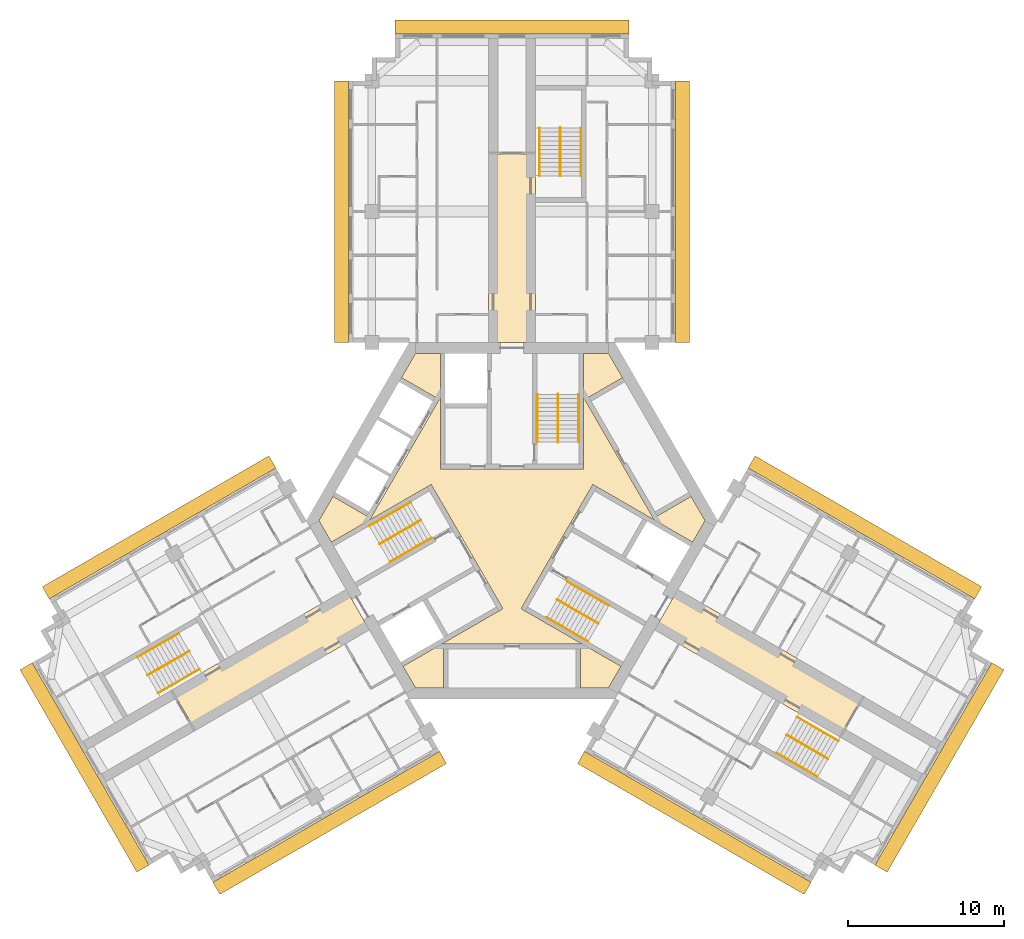
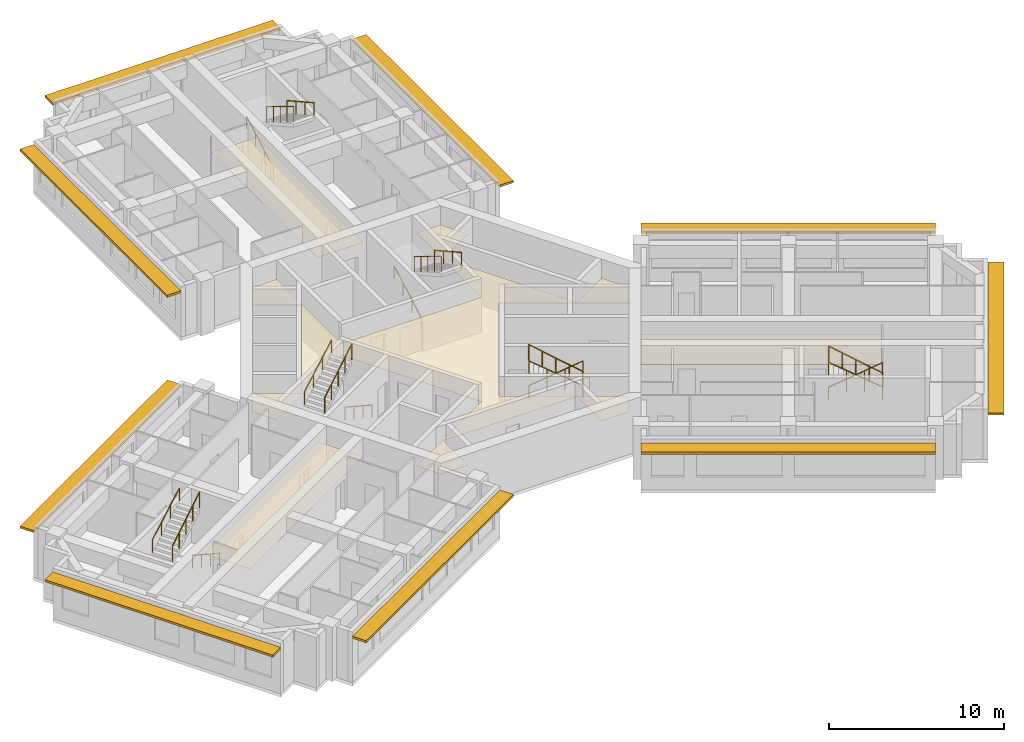
# One storey, part 10 of 10: 18 railings, 4 coverings, 3 shading devices.
"""IFC4 building model written with IfcOpenShell, lengths in metres."""

import ifcopenshell
import ifcopenshell.guid

model = None  # the IFC model being written
_history = None  # IfcOwnerHistory: only IFC2X3 demands one
_inside = {}  # id of a spatial element -> (the spatial element, [elements in it])
_under = {}  # id of a project, library or spatial element -> (it, [spatial elements below it])
_declared = {}  # id of a project -> (the project, [libraries it declares])
_typed = {}  # id of a type object -> (the type object, [elements of that type])
_made_of = {}  # id of a material, layer set ... -> (it, [elements and type objects made of it])


def new_model(schema):
    """Start an empty IFC model of exactly this schema.

    Asked for "IFC4X3", IfcOpenShell would pick the latest addendum, in which some entities
    have other attributes; the version numbers below select the first issue.
    IFC2X3 requires an IfcOwnerHistory on every rooted entity: one is made here for all.
    """
    global model, _history
    if schema == "IFC4X3":
        model = ifcopenshell.file(schema_version=(4, 3, 0, 0))
    else:
        model = ifcopenshell.file(schema=schema)
    _inside.clear()
    _under.clear()
    _declared.clear()
    _typed.clear()
    _made_of.clear()
    _history = None
    if model.schema == "IFC2X3":
        org = make("IfcOrganization", Name="unknown")
        user = make(
            "IfcPersonAndOrganization",
            ThePerson=make("IfcPerson", FamilyName="unknown"),
            TheOrganization=org,
        )
        app = make(
            "IfcApplication",
            ApplicationDeveloper=org,
            Version="unknown",
            ApplicationFullName="unknown",
            ApplicationIdentifier="unknown",
        )
        _history = make(
            "IfcOwnerHistory",
            OwningUser=user,
            OwningApplication=app,
            ChangeAction="ADDED",
            CreationDate=0,
        )
    return model


def make(cls, **values):
    """One entity of the class cls with the attributes given. An attribute that is None is left unset."""
    return model.create_entity(
        cls, **{name: value for name, value in values.items() if value is not None}
    )


def rooted(cls, **values):
    """An entity with a GlobalId (a new one), such as an element, a storey or a relation."""
    return make(cls, GlobalId=ifcopenshell.guid.new(), OwnerHistory=_history, **values)


def si_unit(unit_type, name, prefix=None):
    """IfcSIUnit, for example si_unit("LENGTHUNIT", "METRE", prefix="MILLI")."""
    return make("IfcSIUnit", UnitType=unit_type, Prefix=prefix, Name=name)


def assignment(units):
    """IfcUnitAssignment: the units of a project."""
    return None if units is None else make("IfcUnitAssignment", Units=units)


def point(xyz):
    """IfcCartesianPoint."""
    return None if xyz is None else make("IfcCartesianPoint", Coordinates=xyz)


def direction(xyz):
    """IfcDirection."""
    return None if xyz is None else make("IfcDirection", DirectionRatios=xyz)


def frame(location, z_axis=None, x_axis=None):
    """IfcAxis2Placement3D, a coordinate frame: its origin and axes. An axis left out is left unset."""
    return make(
        "IfcAxis2Placement3D",
        Location=point(location),
        Axis=direction(z_axis),
        RefDirection=direction(x_axis),
    )


def frame_2d(location, x_axis=None):
    """IfcAxis2Placement2D, a coordinate frame in the plane: its origin and x axis."""
    return make(
        "IfcAxis2Placement2D", Location=point(location), RefDirection=direction(x_axis)
    )


def origin():
    """The frame at (0, 0, 0) with its axes left unset."""
    return frame((0.0, 0.0, 0.0))


def origin_2d():
    """The frame at (0, 0) in the plane with its x axis left unset."""
    return frame_2d((0.0, 0.0))


def place(relative_to, where):
    """IfcLocalPlacement: puts the frame where relative to a parent placement (None: the world)."""
    return make(
        "IfcLocalPlacement", PlacementRelTo=relative_to, RelativePlacement=where
    )


def context(
    kind, dimensions, precision=None, world=None, true_north=None, identifier=None
):
    """IfcGeometricRepresentationContext, for example the 3D "Model" context."""
    return make(
        "IfcGeometricRepresentationContext",
        ContextIdentifier=identifier,
        ContextType=kind,
        CoordinateSpaceDimension=dimensions,
        Precision=precision,
        WorldCoordinateSystem=world,
        TrueNorth=true_north,
    )


def subcontext(parent, identifier, kind, view, scale=None):
    """IfcGeometricRepresentationSubContext, for example "Body" below "Model"."""
    return make(
        "IfcGeometricRepresentationSubContext",
        ContextIdentifier=identifier,
        ContextType=kind,
        ParentContext=parent,
        TargetScale=scale,
        TargetView=view,
    )


def project(units=None, contexts=None):
    """IfcProject with its units and contexts."""
    return rooted(
        "IfcProject",
        Name="project",
        RepresentationContexts=contexts,
        UnitsInContext=assignment(units),
    )


def spatial(cls, under=None, at=None, **own):
    """A site, building, storey or space (cls), placed at a placement, below another one or the project."""
    s = rooted(cls, ObjectPlacement=at, **own)
    if under is not None:
        _under.setdefault(under.id(), (under, []))[1].append(s)
    return s


def polyline(points):
    """IfcPolyline through the points."""
    return make("IfcPolyline", Points=[point(p) for p in points])


def profile(cls, at=None, kind="AREA", **sizes):
    """A parametric profile (cls). Its sizes go by their IFC names, for example OverallWidth=200.0."""
    return make(cls, ProfileType=kind, Position=at, **sizes)


def rectangle(**sizes):
    """IfcRectangleProfileDef."""
    return profile("IfcRectangleProfileDef", **sizes)


def circle(**sizes):
    """IfcCircleProfileDef."""
    return profile("IfcCircleProfileDef", **sizes)


def outline(outer, holes=None, kind="AREA"):
    """IfcArbitraryClosedProfileDef: a profile drawn as a closed curve; with holes, ...WithVoids."""
    if holes is None:
        return make("IfcArbitraryClosedProfileDef", ProfileType=kind, OuterCurve=outer)
    return make(
        "IfcArbitraryProfileDefWithVoids",
        ProfileType=kind,
        OuterCurve=outer,
        InnerCurves=holes,
    )


def extrude(swept, where, along, depth):
    """IfcExtrudedAreaSolid: the profile swept, set in the frame where, extruded along a direction by depth."""
    return make(
        "IfcExtrudedAreaSolid",
        SweptArea=swept,
        Position=where,
        ExtrudedDirection=direction(along),
        Depth=depth,
    )


def shape(context_of_items, identifier, shape_type, items):
    """IfcShapeRepresentation: the items that make up one representation, for example the "Body"."""
    return make(
        "IfcShapeRepresentation",
        ContextOfItems=context_of_items,
        RepresentationIdentifier=identifier,
        RepresentationType=shape_type,
        Items=items,
    )


def material(Name=None, Category=None):
    """IfcMaterial."""
    return make("IfcMaterial", Name=Name, Category=Category)


def layer(
    of_material, thickness, ventilated=None, Name=None, Category=None, Priority=None
):
    """IfcMaterialLayer: one layer of a wall or slab, of a material (None: an air gap)."""
    return make(
        "IfcMaterialLayer",
        Material=of_material,
        LayerThickness=thickness,
        IsVentilated=ventilated,
        Name=Name,
        Category=Category,
        Priority=Priority,
    )


def layer_set(layers, Name=None):
    """IfcMaterialLayerSet."""
    return make("IfcMaterialLayerSet", MaterialLayers=layers, LayerSetName=Name)


def made_of(thing, what):
    """Note that an element or type object is made of a material, layer set ...; save() writes the relation."""
    if what is not None:
        _made_of.setdefault(what.id(), (what, []))[1].append(thing)
    return thing


def type_object(cls, material=None, **own):
    """A type object (cls), such as IfcWallType, which elements share."""
    return made_of(rooted(cls, **own), material)


def element(
    cls,
    number,
    at=None,
    inside=None,
    cuts=None,
    type_object=None,
    material=None,
    context=None,
    identifier="Body",
    shape_type=None,
    held_by="IfcProductDefinitionShape",
    body=None,
    shapes=None,
    **own,
):
    """One element of the class cls, such as IfcWall. Its Tag is "e" and its number.

    at: its placement. inside: the storey or other place that contains it. cuts: it is an
    opening in that element (IfcRelVoidsElement). A single representation is given by context,
    identifier, shape_type and body (its items); several are given by shapes. held_by: the class
    of the entity that holds the representations. save() writes the other relations.
    """
    e = rooted(cls, Tag="e%d" % number, ObjectPlacement=at, **own)
    if body is not None:
        shapes = [shape(context, identifier, shape_type, body)]
    if shapes is not None:
        e.Representation = make(held_by, Representations=shapes)
    if inside is not None:
        _inside.setdefault(inside.id(), (inside, []))[1].append(e)
    if cuts is not None:
        rooted(
            "IfcRelVoidsElement", RelatingBuildingElement=cuts, RelatedOpeningElement=e
        )
    if type_object is not None:
        _typed.setdefault(type_object.id(), (type_object, []))[1].append(e)
    return made_of(e, material)


def aggregate(whole, parts):
    """IfcRelAggregates: a whole, such as a stair, and the parts it consists of."""
    return rooted("IfcRelAggregates", RelatingObject=whole, RelatedObjects=parts)


def save(model, path):
    """Write the relations noted so far, then the file.

    IfcRelAggregates (storeys below a building ...), IfcRelContainedInSpatialStructure (elements
    in a storey), IfcRelDefinesByType, IfcRelAssociatesMaterial and IfcRelDeclares: one each for
    every whole, place, type object, material and project.
    """
    for whole, parts in _under.values():
        aggregate(whole, parts)
    for where, things in _inside.values():
        rooted(
            "IfcRelContainedInSpatialStructure",
            RelatedElements=things,
            RelatingStructure=where,
        )
    for kind, things in _typed.values():
        rooted("IfcRelDefinesByType", RelatedObjects=things, RelatingType=kind)
    for what, things in _made_of.values():
        rooted("IfcRelAssociatesMaterial", RelatedObjects=things, RelatingMaterial=what)
    for by, libraries in _declared.values():
        rooted("IfcRelDeclares", RelatingContext=by, RelatedDefinitions=libraries)
    model.write(path)


model = new_model("IFC4")

# Units and contexts
model_context = context("Model", 3, precision=1e-05, world=origin(), true_north=direction((0.0, 1.0)))
body_context = subcontext(model_context, "Body", "Model", "MODEL_VIEW")
ifc_project = project(units=[si_unit("LENGTHUNIT", "METRE"), si_unit("AREAUNIT", "SQUARE_METRE"), si_unit("VOLUMEUNIT", "CUBIC_METRE"), si_unit("PLANEANGLEUNIT", "RADIAN"), si_unit("MASSUNIT", "GRAM", prefix="KILO")], contexts=[model_context])

# Site, building, storey
site_placement = place(None, origin())
site = spatial("IfcSite", under=ifc_project, at=site_placement, CompositionType="ELEMENT")
building_placement = place(site_placement, origin())
building = spatial("IfcBuilding", under=site, at=building_placement, Name="Impinga Residences", CompositionType="ELEMENT")
storey_placement = place(building_placement, frame((0.0, 0.0, 263.5)))
storey = spatial("IfcBuildingStorey", under=building, at=storey_placement, Name="L66", CompositionType="ELEMENT", Elevation=263.5)

# Coverings
ifc_material_1 = material(Name="Plasterboard 15 mm on steel hangers", Category="steel")
ifc_layer_1 = layer(ifc_material_1, 0.014892578125)
ifc_layer_set_1 = layer_set([ifc_layer_1], Name="Plasterboard 15 mm on steel hangers")
covering_type_1 = type_object("IfcCoveringType", Name="CL1 corridor ceiling, 15 mm plasterboard on hangers", PredefinedType="CEILING", material=ifc_layer_set_1)
covering_1_placement = place(storey_placement, frame((0.0, 0.0, 2.39990234375)))
element("IfcCovering", 1, at=covering_1_placement, inside=storey, type_object=covering_type_1, Name="Corridor ceiling CL1 L66-N00", PredefinedType="CEILING", context=body_context, shape_type="SweptSolid", body=[
    extrude(outline(polyline([(-1.5, 11.431640625), (1.5, 11.431640625), (1.5, 23.531494140625), (-1.5, 23.531494140625), (-1.5, 11.431640625)])), origin(), (0.0, 0.0, 1.0), 0.01513671875),
])
covering_2_placement = place(storey_placement, frame((0.0, 0.0, 2.39990234375)))
element("IfcCovering", 2, at=covering_2_placement, inside=storey, type_object=covering_type_1, Name="Corridor ceiling CL1 L66-W00", PredefinedType="CEILING", context=body_context, shape_type="SweptSolid", body=[
    extrude(outline(polyline([(-9.14990234375, -7.014892578125), (-10.64990234375, -4.416748046875), (-21.82177734375, -10.86669921875), (-20.32177734375, -13.46484375), (-9.14990234375, -7.014892578125)])), origin(), (0.0, 0.0, 1.0), 0.01513671875),
])
covering_3_placement = place(storey_placement, frame((0.0, 0.0, 2.39990234375)))
element("IfcCovering", 3, at=covering_3_placement, inside=storey, type_object=covering_type_1, Name="Corridor ceiling CL1 L66-E00", PredefinedType="CEILING", context=body_context, shape_type="SweptSolid", body=[
    extrude(outline(polyline([(10.64990234375, -4.416748046875), (9.14990234375, -7.014892578125), (21.0146484375, -13.86474609375), (22.5146484375, -11.266845703125), (10.64990234375, -4.416748046875)])), origin(), (0.0, 0.0, 1.0), 0.01513671875),
])
ifc_material_2 = material(Name="Mineral fibre tiles 20 mm on exposed grid", Category="mineral fibre")
ifc_layer_2 = layer(ifc_material_2, 0.02001953125)
ifc_layer_set_2 = layer_set([ifc_layer_2], Name="CL2 lift lobby ceiling, 20 mm mineral fibre tiles")
covering_type_2 = type_object("IfcCoveringType", Name="CL2 lift lobby ceiling, 20 mm mineral fibre tiles", PredefinedType="CEILING", material=ifc_layer_set_2)
covering_4_placement = place(storey_placement, frame((0.0, 0.0, 2.39990234375)))
element("IfcCovering", 4, at=covering_4_placement, inside=storey, type_object=covering_type_2, Name="Lift lobby ceiling CL2 L66-C01", PredefinedType="CEILING", context=body_context, shape_type="SweptSolid", body=[
    extrude(outline(polyline([(12.3916015625, 0.0), (11.59375, -1.382080078125), (5.183837890625, 2.318603515625), (0.583984375, -5.648681640625), (6.993896484375, -9.349365234375), (6.19580078125, -10.7314453125), (4.39990234375, -10.7314453125), (4.39990234375, -7.931640625), (-4.39990234375, -7.931640625), (-4.39990234375, -10.7314453125), (-6.19580078125, -10.7314453125), (-6.993896484375, -9.349365234375), (-0.583984375, -5.648681640625), (-5.183837890625, 2.318603515625), (-11.59375, -1.382080078125), (-12.3916015625, 0.0), (-11.493896484375, 1.55517578125), (-9.06884765625, 0.1552734375), (-4.6689453125, 7.7763671875), (-7.09375, 9.17626953125), (-6.19580078125, 10.7314453125), (-4.60009765625, 10.7314453125), (-4.60009765625, 3.330078125), (4.60009765625, 3.330078125), (4.60009765625, 10.7314453125), (6.19580078125, 10.7314453125), (7.09375, 9.17626953125), (4.6689453125, 7.7763671875), (9.06884765625, 0.1552734375), (11.493896484375, 1.55517578125), (12.3916015625, 0.0)])), origin(), (0.0, 0.0, 1.0), 0.02001953125),
])

# Railings
ifc_material_3 = material(Name="Steel guard, powder coated", Category="steel")
railing_type_1 = type_object("IfcRailingType", Name="GR1 stair guard 1100", PredefinedType="GUARDRAIL", material=ifc_material_3)
railing_1_placement = place(storey_placement, frame((2.949951171875, 8.110107421875, 1.875)))
element("IfcRailing", 5, at=railing_1_placement, inside=storey, type_object=railing_type_1, Name="Stair guard GR1 ST1 L66", PredefinedType="GUARDRAIL", context=body_context, shape_type="SweptSolid", body=[
    extrude(circle(Radius=0.02392578125, at=origin_2d()), frame((0.0, 0.0, 1.076171875), z_axis=(0.0, -0.854177636135, 0.519981313056), x_axis=(1.0, 0.0, 0.0)), (0.0, 0.0, 1.0), 3.60595703125),
    extrude(circle(Radius=0.02099609375, at=origin_2d()), origin(), (0.0, 0.0, 1.0), 1.052001953125),
    extrude(circle(Radius=0.02099609375, at=origin_2d()), frame((0.0, -0.77001953125, 0.46875)), (0.0, 0.0, 1.0), 1.052001953125),
    extrude(circle(Radius=0.02099609375, at=origin_2d()), frame((0.0, -1.5400390625, 0.9375)), (0.0, 0.0, 1.0), 1.052001953125),
    extrude(circle(Radius=0.02099609375, at=origin_2d()), frame((0.0, -2.31005859375, 1.40625)), (0.0, 0.0, 1.0), 1.052001953125),
    extrude(circle(Radius=0.02099609375, at=origin_2d()), frame((0.0, -3.080078125, 1.875)), (0.0, 0.0, 1.0), 1.052001953125),
])
railing_2_placement = place(storey_placement, frame((-8.49853515625, -1.500244140625, 1.875)))
element("IfcRailing", 6, at=railing_2_placement, inside=storey, type_object=railing_type_1, Name="Stair guard GR1 ST2 L66", PredefinedType="GUARDRAIL", context=body_context, shape_type="SweptSolid", body=[
    extrude(circle(Radius=0.02392578125, at=origin_2d()), frame((0.0, 0.0, 1.076171875), z_axis=(0.739746383972, 0.427084037168, 0.519975492303), x_axis=(-0.499992328818, 0.866029832698, 0.0)), (0.0, 0.0, 1.0), 3.60595703125),
    extrude(circle(Radius=0.02099609375, at=origin_2d()), origin(), (0.0, 0.0, 1.0), 1.052001953125),
    extrude(circle(Radius=0.02099609375, at=origin_2d()), frame((0.6669921875, 0.385009765625, 0.46875)), (0.0, 0.0, 1.0), 1.052001953125),
    extrude(circle(Radius=0.02099609375, at=origin_2d()), frame((1.333740234375, 0.77001953125, 0.9375)), (0.0, 0.0, 1.0), 1.052001953125),
    extrude(circle(Radius=0.02099609375, at=origin_2d()), frame((2.00048828125, 1.155029296875, 1.40625)), (0.0, 0.0, 1.0), 1.052001953125),
    extrude(circle(Radius=0.02099609375, at=origin_2d()), frame((2.66748046875, 1.5400390625, 1.875)), (0.0, 0.0, 1.0), 1.052001953125),
])
railing_3_placement = place(storey_placement, frame((5.548583984375, -6.60986328125, 1.875)))
element("IfcRailing", 7, at=railing_3_placement, inside=storey, type_object=railing_type_1, Name="Stair guard GR1 ST3 L66", PredefinedType="GUARDRAIL", context=body_context, shape_type="SweptSolid", body=[
    extrude(circle(Radius=0.02392578125, at=origin_2d()), frame((0.0, 0.0, 1.076171875), z_axis=(-0.739746383972, 0.427084037168, 0.519975492303), x_axis=(-0.499992328818, -0.866029832698, 0.0)), (0.0, 0.0, 1.0), 3.60595703125),
    extrude(circle(Radius=0.02099609375, at=origin_2d()), origin(), (0.0, 0.0, 1.0), 1.052001953125),
    extrude(circle(Radius=0.02099609375, at=origin_2d()), frame((-0.6669921875, 0.385009765625, 0.46875)), (0.0, 0.0, 1.0), 1.052001953125),
    extrude(circle(Radius=0.02099609375, at=origin_2d()), frame((-1.333740234375, 0.77001953125, 0.9375)), (0.0, 0.0, 1.0), 1.052001953125),
    extrude(circle(Radius=0.02099609375, at=origin_2d()), frame((-2.00048828125, 1.155029296875, 1.40625)), (0.0, 0.0, 1.0), 1.052001953125),
    extrude(circle(Radius=0.02099609375, at=origin_2d()), frame((-2.66748046875, 1.5400390625, 1.875)), (0.0, 0.0, 1.0), 1.052001953125),
])
railing_4_placement = place(storey_placement, frame((3.10009765625, 25.21142578125, 1.875)))
element("IfcRailing", 8, at=railing_4_placement, inside=storey, type_object=railing_type_1, Name="Stair guard GR1 WS1 L66", PredefinedType="GUARDRAIL", context=body_context, shape_type="SweptSolid", body=[
    extrude(circle(Radius=0.02392578125, at=origin_2d()), frame((0.0, 0.0, 1.076171875), z_axis=(0.0, -0.854159328187, 0.520011386482), x_axis=(1.0, 0.0, 0.0)), (0.0, 0.0, 1.0), 3.605712890625),
    extrude(circle(Radius=0.02099609375, at=origin_2d()), origin(), (0.0, 0.0, 1.0), 1.052001953125),
    extrude(circle(Radius=0.02099609375, at=origin_2d()), frame((0.0, -0.77001953125, 0.46875)), (0.0, 0.0, 1.0), 1.052001953125),
    extrude(circle(Radius=0.02099609375, at=origin_2d()), frame((0.0, -1.5400390625, 0.9375)), (0.0, 0.0, 1.0), 1.052001953125),
    extrude(circle(Radius=0.02099609375, at=origin_2d()), frame((0.0, -2.309814453125, 1.40625)), (0.0, 0.0, 1.0), 1.052001953125),
    extrude(circle(Radius=0.02099609375, at=origin_2d()), frame((0.0, -3.079833984375, 1.875)), (0.0, 0.0, 1.0), 1.052001953125),
])
railing_5_placement = place(storey_placement, frame((-23.3837890625, -9.921142578125, 1.875)))
element("IfcRailing", 9, at=railing_5_placement, inside=storey, type_object=railing_type_1, Name="Stair guard GR1 WS2 L66", PredefinedType="GUARDRAIL", context=body_context, shape_type="SweptSolid", body=[
    extrude(circle(Radius=0.02392578125, at=origin_2d()), frame((0.0, 0.0, 1.076171875), z_axis=(0.739715726454, 0.427105428144, 0.52000153585), x_axis=(-0.500026652407, 0.866010015463, 0.0)), (0.0, 0.0, 1.0), 3.605712890625),
    extrude(circle(Radius=0.02099609375, at=origin_2d()), origin(), (0.0, 0.0, 1.0), 1.052001953125),
    extrude(circle(Radius=0.02099609375, at=origin_2d()), frame((0.666748046875, 0.385009765625, 0.46875)), (0.0, 0.0, 1.0), 1.052001953125),
    extrude(circle(Radius=0.02099609375, at=origin_2d()), frame((1.33349609375, 0.77001953125, 0.9375)), (0.0, 0.0, 1.0), 1.052001953125),
    extrude(circle(Radius=0.02099609375, at=origin_2d()), frame((2.00048828125, 1.155029296875, 1.40625)), (0.0, 0.0, 1.0), 1.052001953125),
    extrude(circle(Radius=0.02099609375, at=origin_2d()), frame((2.667236328125, 1.5400390625, 1.875)), (0.0, 0.0, 1.0), 1.052001953125),
])
railing_6_placement = place(storey_placement, frame((20.283935546875, -15.29052734375, 1.875)))
element("IfcRailing", 10, at=railing_6_placement, inside=storey, type_object=railing_type_1, Name="Stair guard GR1 WS3 L66", PredefinedType="GUARDRAIL", context=body_context, shape_type="SweptSolid", body=[
    extrude(circle(Radius=0.02392578125, at=origin_2d()), frame((0.0, 0.0, 1.076171875), z_axis=(-0.739746383972, 0.427084037168, 0.519975492303), x_axis=(-0.499992328818, -0.866029832698, 0.0)), (0.0, 0.0, 1.0), 3.60595703125),
    extrude(circle(Radius=0.02099609375, at=origin_2d()), origin(), (0.0, 0.0, 1.0), 1.052001953125),
    extrude(circle(Radius=0.02099609375, at=origin_2d()), frame((-0.6669921875, 0.385009765625, 0.46875)), (0.0, 0.0, 1.0), 1.052001953125),
    extrude(circle(Radius=0.02099609375, at=origin_2d()), frame((-1.333740234375, 0.77001953125, 0.9375)), (0.0, 0.0, 1.0), 1.052001953125),
    extrude(circle(Radius=0.02099609375, at=origin_2d()), frame((-2.00048828125, 1.155029296875, 1.40625)), (0.0, 0.0, 1.0), 1.052001953125),
    extrude(circle(Radius=0.02099609375, at=origin_2d()), frame((-2.66748046875, 1.5400390625, 1.875)), (0.0, 0.0, 1.0), 1.052001953125),
])
ifc_material_4 = material(Name="Steel handrail tube 42 mm, powder coated", Category="steel")
railing_type_2 = type_object("IfcRailingType", Name="HR1 stair handrail, 42 mm steel tube, 900 above the pitch line", PredefinedType="HANDRAIL", material=ifc_material_4)
railing_7_placement = place(storey_placement, frame((1.62109375, 5.030029296875, 0.15625)))
element("IfcRailing", 11, at=railing_7_placement, inside=storey, type_object=railing_type_2, Name="Stair handrail HR1 ST1 L66", PredefinedType="HANDRAIL", context=body_context, shape_type="SweptSolid", body=[
    extrude(circle(Radius=0.02099609375, at=origin_2d()), frame((0.0, 0.0, 0.87890625), z_axis=(0.0, 0.873241540666, 0.487287606713), x_axis=(-1.0, 0.0, 0.0)), (0.0, 0.0, 1.0), 3.527099609375),
    extrude(circle(Radius=0.012451171875, at=origin_2d()), origin(), (0.0, 0.0, 1.0), 0.85791015625),
    extrude(circle(Radius=0.012451171875, at=origin_2d()), frame((0.0, 1.026611328125, 0.572998046875)), (0.0, 0.0, 1.0), 0.85791015625),
    extrude(circle(Radius=0.012451171875, at=origin_2d()), frame((0.0, 2.053466796875, 1.145751953125)), (0.0, 0.0, 1.0), 0.85791015625),
    extrude(circle(Radius=0.012451171875, at=origin_2d()), frame((0.0, 3.080078125, 1.71875)), (0.0, 0.0, 1.0), 0.85791015625),
])
railing_8_placement = place(storey_placement, frame((4.279052734375, 8.110107421875, 2.03125)))
element("IfcRailing", 12, at=railing_8_placement, inside=storey, type_object=railing_type_2, Name="Stair handrail HR1 ST1 L66", PredefinedType="HANDRAIL", context=body_context, shape_type="SweptSolid", body=[
    extrude(circle(Radius=0.02099609375, at=origin_2d()), frame((0.0, 0.0, 0.87890625), z_axis=(0.0, -0.873241540666, 0.487287606713), x_axis=(1.0, 0.0, 0.0)), (0.0, 0.0, 1.0), 3.527099609375),
    extrude(circle(Radius=0.012451171875, at=origin_2d()), origin(), (0.0, 0.0, 1.0), 0.85791015625),
    extrude(circle(Radius=0.012451171875, at=origin_2d()), frame((0.0, -1.026611328125, 0.572998046875)), (0.0, 0.0, 1.0), 0.85791015625),
    extrude(circle(Radius=0.012451171875, at=origin_2d()), frame((0.0, -2.053466796875, 1.145751953125)), (0.0, 0.0, 1.0), 0.85791015625),
    extrude(circle(Radius=0.012451171875, at=origin_2d()), frame((0.0, -3.080078125, 1.71875)), (0.0, 0.0, 1.0), 0.85791015625),
])
railing_9_placement = place(storey_placement, frame((-5.16650390625, -1.111083984375, 0.15625)))
element("IfcRailing", 13, at=railing_9_placement, inside=storey, type_object=railing_type_2, Name="Stair handrail HR1 ST2 L66", PredefinedType="HANDRAIL", context=body_context, shape_type="SweptSolid", body=[
    extrude(circle(Radius=0.02099609375, at=origin_2d()), frame((0.0, 0.0, 0.87890625), z_axis=(-0.756255980417, -0.436615662133, 0.487281905742), x_axis=(0.499992328818, -0.866029832698, 0.0)), (0.0, 0.0, 1.0), 3.527099609375),
    extrude(circle(Radius=0.012451171875, at=origin_2d()), origin(), (0.0, 0.0, 1.0), 0.85791015625),
    extrude(circle(Radius=0.012451171875, at=origin_2d()), frame((-0.88916015625, -0.513427734375, 0.572998046875)), (0.0, 0.0, 1.0), 0.85791015625),
    extrude(circle(Radius=0.012451171875, at=origin_2d()), frame((-1.7783203125, -1.026611328125, 1.145751953125)), (0.0, 0.0, 1.0), 0.85791015625),
    extrude(circle(Radius=0.012451171875, at=origin_2d()), frame((-2.66748046875, -1.5400390625, 1.71875)), (0.0, 0.0, 1.0), 0.85791015625),
])
railing_10_placement = place(storey_placement, frame((-9.1630859375, -0.349365234375, 2.03125)))
element("IfcRailing", 14, at=railing_10_placement, inside=storey, type_object=railing_type_2, Name="Stair handrail HR1 ST2 L66", PredefinedType="HANDRAIL", context=body_context, shape_type="SweptSolid", body=[
    extrude(circle(Radius=0.02099609375, at=origin_2d()), frame((0.0, 0.0, 0.87890625), z_axis=(0.756255980417, 0.436615662133, 0.487281905742), x_axis=(-0.499992328818, 0.866029832698, 0.0)), (0.0, 0.0, 1.0), 3.527099609375),
    extrude(circle(Radius=0.012451171875, at=origin_2d()), origin(), (0.0, 0.0, 1.0), 0.85791015625),
    extrude(circle(Radius=0.012451171875, at=origin_2d()), frame((0.88916015625, 0.513427734375, 0.572998046875)), (0.0, 0.0, 1.0), 0.85791015625),
    extrude(circle(Radius=0.012451171875, at=origin_2d()), frame((1.7783203125, 1.026611328125, 1.145751953125)), (0.0, 0.0, 1.0), 0.85791015625),
    extrude(circle(Radius=0.012451171875, at=origin_2d()), frame((2.66748046875, 1.5400390625, 1.71875)), (0.0, 0.0, 1.0), 0.85791015625),
])
railing_11_placement = place(storey_placement, frame((3.545654296875, -3.9189453125, 0.15625)))
element("IfcRailing", 15, at=railing_11_placement, inside=storey, type_object=railing_type_2, Name="Stair handrail HR1 ST3 L66", PredefinedType="HANDRAIL", context=body_context, shape_type="SweptSolid", body=[
    extrude(circle(Radius=0.02099609375, at=origin_2d()), frame((0.0, 0.0, 0.87890625), z_axis=(0.756249203677, -0.436582492228, 0.487322141317), x_axis=(0.499967199496, 0.866044340336, 0.0)), (0.0, 0.0, 1.0), 3.52685546875),
    extrude(circle(Radius=0.012451171875, at=origin_2d()), origin(), (0.0, 0.0, 1.0), 0.85791015625),
    extrude(circle(Radius=0.012451171875, at=origin_2d()), frame((0.88916015625, -0.51318359375, 0.572998046875)), (0.0, 0.0, 1.0), 0.85791015625),
    extrude(circle(Radius=0.012451171875, at=origin_2d()), frame((1.778076171875, -1.026611328125, 1.145751953125)), (0.0, 0.0, 1.0), 0.85791015625),
    extrude(circle(Radius=0.012451171875, at=origin_2d()), frame((2.667236328125, -1.539794921875, 1.71875)), (0.0, 0.0, 1.0), 0.85791015625),
])
railing_12_placement = place(storey_placement, frame((4.884033203125, -7.7607421875, 2.03125)))
element("IfcRailing", 16, at=railing_12_placement, inside=storey, type_object=railing_type_2, Name="Stair handrail HR1 ST3 L66", PredefinedType="HANDRAIL", context=body_context, shape_type="SweptSolid", body=[
    extrude(circle(Radius=0.02099609375, at=origin_2d()), frame((0.0, 0.0, 0.87890625), z_axis=(-0.756255980417, 0.436615662133, 0.487281905742), x_axis=(-0.499992328818, -0.866029832698, 0.0)), (0.0, 0.0, 1.0), 3.527099609375),
    extrude(circle(Radius=0.012451171875, at=origin_2d()), origin(), (0.0, 0.0, 1.0), 0.85791015625),
    extrude(circle(Radius=0.012451171875, at=origin_2d()), frame((-0.88916015625, 0.513427734375, 0.572998046875)), (0.0, 0.0, 1.0), 0.85791015625),
    extrude(circle(Radius=0.012451171875, at=origin_2d()), frame((-1.7783203125, 1.026611328125, 1.145751953125)), (0.0, 0.0, 1.0), 0.85791015625),
    extrude(circle(Radius=0.012451171875, at=origin_2d()), frame((-2.66748046875, 1.5400390625, 1.71875)), (0.0, 0.0, 1.0), 0.85791015625),
])
railing_13_placement = place(storey_placement, frame((1.77099609375, 22.131591796875, 0.15625)))
element("IfcRailing", 17, at=railing_13_placement, inside=storey, type_object=railing_type_2, Name="Stair handrail HR1 WS1 L66", PredefinedType="HANDRAIL", context=body_context, shape_type="SweptSolid", body=[
    extrude(circle(Radius=0.02099609375, at=origin_2d()), frame((0.0, 0.0, 0.87890625), z_axis=(0.0, 0.873225103656, 0.487317061414), x_axis=(-1.0, 0.0, 0.0)), (0.0, 0.0, 1.0), 3.52685546875),
    extrude(circle(Radius=0.012451171875, at=origin_2d()), origin(), (0.0, 0.0, 1.0), 0.85791015625),
    extrude(circle(Radius=0.012451171875, at=origin_2d()), frame((0.0, 1.026611328125, 0.572998046875)), (0.0, 0.0, 1.0), 0.85791015625),
    extrude(circle(Radius=0.012451171875, at=origin_2d()), frame((0.0, 2.05322265625, 1.145751953125)), (0.0, 0.0, 1.0), 0.85791015625),
    extrude(circle(Radius=0.012451171875, at=origin_2d()), frame((0.0, 3.079833984375, 1.71875)), (0.0, 0.0, 1.0), 0.85791015625),
])
railing_14_placement = place(storey_placement, frame((4.428955078125, 25.21142578125, 2.03125)))
element("IfcRailing", 18, at=railing_14_placement, inside=storey, type_object=railing_type_2, Name="Stair handrail HR1 WS1 L66", PredefinedType="HANDRAIL", context=body_context, shape_type="SweptSolid", body=[
    extrude(circle(Radius=0.02099609375, at=origin_2d()), frame((0.0, 0.0, 0.87890625), z_axis=(0.0, -0.873225103656, 0.487317061414), x_axis=(1.0, 0.0, 0.0)), (0.0, 0.0, 1.0), 3.52685546875),
    extrude(circle(Radius=0.012451171875, at=origin_2d()), origin(), (0.0, 0.0, 1.0), 0.85791015625),
    extrude(circle(Radius=0.012451171875, at=origin_2d()), frame((0.0, -1.026611328125, 0.572998046875)), (0.0, 0.0, 1.0), 0.85791015625),
    extrude(circle(Radius=0.012451171875, at=origin_2d()), frame((0.0, -2.05322265625, 1.145751953125)), (0.0, 0.0, 1.0), 0.85791015625),
    extrude(circle(Radius=0.012451171875, at=origin_2d()), frame((0.0, -3.079833984375, 1.71875)), (0.0, 0.0, 1.0), 0.85791015625),
])
railing_15_placement = place(storey_placement, frame((-20.052001953125, -9.531982421875, 0.15625)))
element("IfcRailing", 19, at=railing_15_placement, inside=storey, type_object=railing_type_2, Name="Stair handrail HR1 WS2 L66", PredefinedType="HANDRAIL", context=body_context, shape_type="SweptSolid", body=[
    extrude(circle(Radius=0.02099609375, at=origin_2d()), frame((0.0, 0.0, 0.87890625), z_axis=(-0.756226348243, -0.436638517594, 0.487307413422), x_axis=(0.500026652407, -0.866010015463, 0.0)), (0.0, 0.0, 1.0), 3.527099609375),
    extrude(circle(Radius=0.012451171875, at=origin_2d()), origin(), (0.0, 0.0, 1.0), 0.85791015625),
    extrude(circle(Radius=0.012451171875, at=origin_2d()), frame((-0.88916015625, -0.513427734375, 0.572998046875)), (0.0, 0.0, 1.0), 0.85791015625),
    extrude(circle(Radius=0.012451171875, at=origin_2d()), frame((-1.778076171875, -1.026611328125, 1.145751953125)), (0.0, 0.0, 1.0), 0.85791015625),
    extrude(circle(Radius=0.012451171875, at=origin_2d()), frame((-2.667236328125, -1.5400390625, 1.71875)), (0.0, 0.0, 1.0), 0.85791015625),
])
railing_16_placement = place(storey_placement, frame((-24.04833984375, -8.77001953125, 2.03125)))
element("IfcRailing", 20, at=railing_16_placement, inside=storey, type_object=railing_type_2, Name="Stair handrail HR1 WS2 L66", PredefinedType="HANDRAIL", context=body_context, shape_type="SweptSolid", body=[
    extrude(circle(Radius=0.02099609375, at=origin_2d()), frame((0.0, 0.0, 0.87890625), z_axis=(0.756278834354, 0.436559638319, 0.487296631324), x_axis=(-0.499932877268, 0.866064153644, 0.0)), (0.0, 0.0, 1.0), 3.527099609375),
    extrude(circle(Radius=0.012451171875, at=origin_2d()), origin(), (0.0, 0.0, 1.0), 0.85791015625),
    extrude(circle(Radius=0.012451171875, at=origin_2d()), frame((0.88916015625, 0.51318359375, 0.572998046875)), (0.0, 0.0, 1.0), 0.85791015625),
    extrude(circle(Radius=0.012451171875, at=origin_2d()), frame((1.7783203125, 1.026611328125, 1.145751953125)), (0.0, 0.0, 1.0), 0.85791015625),
    extrude(circle(Radius=0.012451171875, at=origin_2d()), frame((2.66748046875, 1.539794921875, 1.71875)), (0.0, 0.0, 1.0), 0.85791015625),
])
railing_17_placement = place(storey_placement, frame((18.281005859375, -12.599609375, 0.15625)))
element("IfcRailing", 21, at=railing_17_placement, inside=storey, type_object=railing_type_2, Name="Stair handrail HR1 WS3 L66", PredefinedType="HANDRAIL", context=body_context, shape_type="SweptSolid", body=[
    extrude(circle(Radius=0.02099609375, at=origin_2d()), frame((0.0, 0.0, 0.87890625), z_axis=(0.756249203677, -0.436582492228, 0.487322141317), x_axis=(0.499967199496, 0.866044340336, 0.0)), (0.0, 0.0, 1.0), 3.52685546875),
    extrude(circle(Radius=0.012451171875, at=origin_2d()), origin(), (0.0, 0.0, 1.0), 0.85791015625),
    extrude(circle(Radius=0.012451171875, at=origin_2d()), frame((0.88916015625, -0.51318359375, 0.572998046875)), (0.0, 0.0, 1.0), 0.85791015625),
    extrude(circle(Radius=0.012451171875, at=origin_2d()), frame((1.778076171875, -1.026611328125, 1.145751953125)), (0.0, 0.0, 1.0), 0.85791015625),
    extrude(circle(Radius=0.012451171875, at=origin_2d()), frame((2.667236328125, -1.539794921875, 1.71875)), (0.0, 0.0, 1.0), 0.85791015625),
])
railing_18_placement = place(storey_placement, frame((19.619384765625, -16.44140625, 2.03125)))
element("IfcRailing", 22, at=railing_18_placement, inside=storey, type_object=railing_type_2, Name="Stair handrail HR1 WS3 L66", PredefinedType="HANDRAIL", context=body_context, shape_type="SweptSolid", body=[
    extrude(circle(Radius=0.02099609375, at=origin_2d()), frame((0.0, 0.0, 0.87890625), z_axis=(-0.756255980417, 0.436615662133, 0.487281905742), x_axis=(-0.499992328818, -0.866029832698, 0.0)), (0.0, 0.0, 1.0), 3.527099609375),
    extrude(circle(Radius=0.012451171875, at=origin_2d()), origin(), (0.0, 0.0, 1.0), 0.85791015625),
    extrude(circle(Radius=0.012451171875, at=origin_2d()), frame((-0.88916015625, 0.513427734375, 0.572998046875)), (0.0, 0.0, 1.0), 0.85791015625),
    extrude(circle(Radius=0.012451171875, at=origin_2d()), frame((-1.7783203125, 1.026611328125, 1.145751953125)), (0.0, 0.0, 1.0), 0.85791015625),
    extrude(circle(Radius=0.012451171875, at=origin_2d()), frame((-2.66748046875, 1.5400390625, 1.71875)), (0.0, 0.0, 1.0), 0.85791015625),
])

# Shading devices
ifc_material_5 = material(Name="Terracotta sunshade blades on aluminium brackets", Category="masonry")
ifc_layer_3 = layer(ifc_material_5, 0.14990234375)
ifc_layer_set_3 = layer_set([ifc_layer_3], Name="SS1 SUNSHADE terracotta sunshade band 900")
shading_device_type = type_object("IfcShadingDeviceType", Name="SS1 SUNSHADE terracotta sunshade band 900", PredefinedType="USERDEFINED", material=ifc_layer_set_3)
shading_device_1_placement = place(storey_placement, frame((-10.949951171875, 19.83154296875, 3.10009765625), z_axis=(0.0, 0.0, 1.0), x_axis=(0.0, 1.0, 0.0)))
element("IfcShadingDevice", 23, at=shading_device_1_placement, inside=storey, type_object=shading_device_type, Name="SUNSHADE band L66 NORTH WING", ObjectType="SUNSHADE", PredefinedType="USERDEFINED", context=body_context, shape_type="SweptSolid", body=[
    extrude(rectangle(XDim=16.800048828125, YDim=0.89990234375, at=origin_2d()), origin(), (0.0, 0.0, 1.0), 0.14990234375),
    extrude(rectangle(XDim=15.0, YDim=0.89990234375, at=origin_2d()), frame((11.85009765625, -10.949951171875, 0.0), z_axis=(0.0, 0.0, 1.0), x_axis=(0.0, -1.0, 0.0)), (0.0, 0.0, 1.0), 0.14990234375),
    extrude(rectangle(XDim=16.800048828125, YDim=0.89990234375, at=origin_2d()), frame((0.0, -21.89990234375, 0.0), z_axis=(0.0, 0.0, 1.0), x_axis=(-1.0, 0.0, 0.0)), (0.0, 0.0, 1.0), 0.14990234375),
])
shading_device_2_placement = place(storey_placement, frame((-27.43701171875, -15.8408203125, 3.10009765625), z_axis=(0.0, 0.0, 1.0), x_axis=(-0.5, 0.866025403784, 0.0)))
element("IfcShadingDevice", 24, at=shading_device_2_placement, inside=storey, type_object=shading_device_type, Name="SUNSHADE band L66 WEST WING", ObjectType="SUNSHADE", PredefinedType="USERDEFINED", context=body_context, shape_type="SweptSolid", body=[
    extrude(rectangle(XDim=15.0, YDim=0.89990234375, at=origin_2d()), origin(), (0.0, 0.0, 1.0), 0.14990234375),
    extrude(rectangle(XDim=16.800048828125, YDim=0.89990234375, at=origin_2d()), frame((10.949951171875, -11.849853515625, 0.0), z_axis=(0.0, 0.0, 1.0), x_axis=(0.0, -1.0, 0.0)), (0.0, 0.0, 1.0), 0.14990234375),
    extrude(rectangle(XDim=16.800048828125, YDim=0.89990234375, at=origin_2d()), frame((-10.949951171875, -11.849853515625, 0.0), z_axis=(0.0, 0.0, 1.0), x_axis=(0.0, 1.0, 0.0)), (0.0, 0.0, 1.0), 0.14990234375),
])
shading_device_3_placement = place(storey_placement, frame((22.649658203125, -0.432861328125, 3.10009765625), z_axis=(0.0, 0.0, 1.0), x_axis=(0.866025403784, -0.5, 0.0)))
element("IfcShadingDevice", 25, at=shading_device_3_placement, inside=storey, type_object=shading_device_type, Name="SUNSHADE band L66 EAST WING", ObjectType="SUNSHADE", PredefinedType="USERDEFINED", context=body_context, shape_type="SweptSolid", body=[
    extrude(rectangle(XDim=16.800048828125, YDim=0.89990234375, at=origin_2d()), origin(), (0.0, 0.0, 1.0), 0.14990234375),
    extrude(rectangle(XDim=15.0, YDim=0.89990234375, at=origin_2d()), frame((11.849853515625, -10.949951171875, 0.0), z_axis=(0.0, 0.0, 1.0), x_axis=(0.0, -1.0, 0.0)), (0.0, 0.0, 1.0), 0.14990234375),
    extrude(rectangle(XDim=16.800048828125, YDim=0.89990234375, at=origin_2d()), frame((0.0, -21.89990234375, 0.0), z_axis=(0.0, 0.0, 1.0), x_axis=(-1.0, 0.0, 0.0)), (0.0, 0.0, 1.0), 0.14990234375),
])

save(model, "model.ifc")
